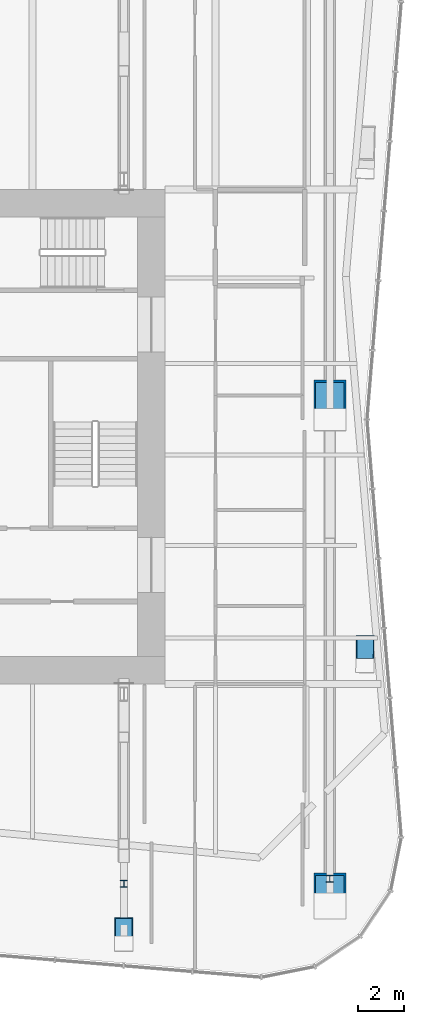
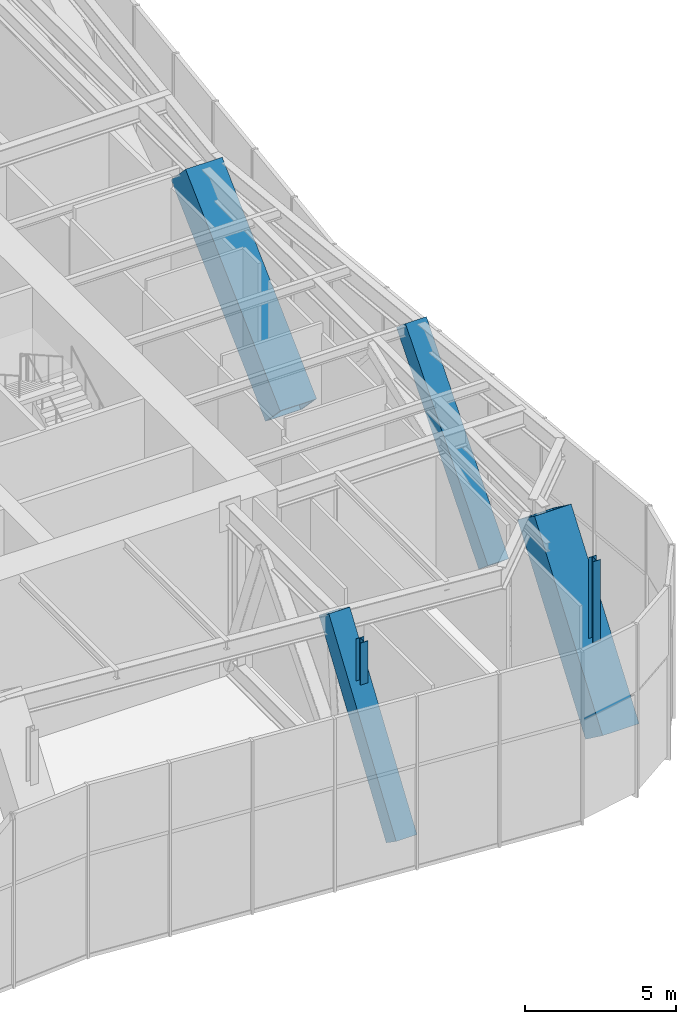
# One storey, part 2 of 17: 6 columns.
"""IFC4 building model written with IfcOpenShell, lengths in metres."""

from ifc_helpers import new_model, si_unit, direction, frame, origin, origin_2d, place, context, subcontext, project, spatial, hollow_rectangle, i_section, extrude, material, material_profile, profile_set, type_object, element, save


model = new_model("IFC4")

# Units and contexts
model_context = context("Model", 3, precision=1e-05, world=origin(), true_north=direction((0.0, 1.0)))
body_context = subcontext(model_context, "Body", "Model", "MODEL_VIEW")
ifc_project = project(units=[si_unit("LENGTHUNIT", "METRE"), si_unit("AREAUNIT", "SQUARE_METRE"), si_unit("VOLUMEUNIT", "CUBIC_METRE"), si_unit("PLANEANGLEUNIT", "RADIAN"), si_unit("MASSUNIT", "GRAM", prefix="KILO")], contexts=[model_context])

# Site, building, storey
site_placement = place(None, origin())
site = spatial("IfcSite", under=ifc_project, at=site_placement, CompositionType="ELEMENT")
building_placement = place(site_placement, origin())
building = spatial("IfcBuilding", under=site, at=building_placement, Name="Verdant Reach Tower", CompositionType="ELEMENT")
storey_placement = place(building_placement, frame((0.0, 0.0, 114.0)))
storey = spatial("IfcBuildingStorey", under=building, at=storey_placement, Name="L26 Plant", CompositionType="ELEMENT", Elevation=114.0)

# Columns
ifc_material = material(Name="Steel S460", Category="steel")
ifc_material_profile_1 = material_profile(ifc_material, hollow_rectangle(XDim=1.39990234375, YDim=1.39990234375, WallThickness=0.080078125, at=origin_2d()), Name="WB 1400x1400x80")
ifc_profile_set_1 = profile_set([ifc_material_profile_1], Name="Steel S460")
column_type_1 = type_object("IfcColumnType", Name="ST-COL-WB1400x1400x80", PredefinedType="COLUMN", material=ifc_profile_set_1)
column_1_placement = place(storey_placement, frame((21.0, 28.75, 0.51708984375), z_axis=(0.0, 0.723360676074, 0.690470370334), x_axis=(-1.0, 0.0, 0.0)))
element("IfcColumn", 1, at=column_1_placement, inside=storey, type_object=column_type_1, Name="Mega column east, L26 Plant", PredefinedType="COLUMN", context=body_context, shape_type="SweptSolid", body=[
    extrude(hollow_rectangle(XDim=1.39990234375, YDim=1.39990234375, WallThickness=0.080078125, at=origin_2d()), origin(), (0.0, 0.0, 1.0), 8.64013671875),
])
column_2_placement = place(storey_placement, frame((21.0, 7.5, 0.43115234375), z_axis=(0.0, 0.591280217963, 0.806466182704), x_axis=(-1.0, 0.0, 0.0)))
element("IfcColumn", 2, at=column_2_placement, inside=storey, type_object=column_type_1, Name="Mega column south-east, L26 Plant", PredefinedType="COLUMN", context=body_context, shape_type="SweptSolid", body=[
    extrude(hollow_rectangle(XDim=1.39990234375, YDim=1.39990234375, WallThickness=0.080078125, at=origin_2d()), origin(), (0.0, 0.0, 1.0), 7.610595703125),
])
ifc_material_profile_2 = material_profile(ifc_material, hollow_rectangle(XDim=0.800048828125, YDim=0.800048828125, WallThickness=0.0400390625, at=origin_2d()), Name="WB 800x800x40")
ifc_profile_set_2 = profile_set([ifc_material_profile_2], Name="Steel S460")
column_type_2 = type_object("IfcColumnType", Name="ST-COL-WB800x800x40", PredefinedType="COLUMN", material=ifc_profile_set_2)
column_3_placement = place(storey_placement, frame((12.0, 5.85009765625, 0.253173828125), z_axis=(0.0, 0.565283029437, 0.824897021834), x_axis=(-1.0, 0.0, 0.0)))
element("IfcColumn", 3, at=column_3_placement, inside=storey, type_object=column_type_2, Name="Perimeter column south 2, L26 Plant", PredefinedType="COLUMN", context=body_context, shape_type="SweptSolid", body=[
    extrude(hollow_rectangle(XDim=0.800048828125, YDim=0.800048828125, WallThickness=0.0400390625, at=origin_2d()), origin(), (0.0, 0.0, 1.0), 7.8720703125),
])
column_4_placement = place(storey_placement, frame((22.53369140625, 18.0, 0.286865234375), z_axis=(0.003405838168, 0.650226459736, 0.759732815748), x_axis=(-0.999986282347, 0.005237854284, 0.0)))
element("IfcColumn", 4, at=column_4_placement, inside=storey, type_object=column_type_2, Name="Perimeter column east 1, L26 Plant", PredefinedType="COLUMN", context=body_context, shape_type="SweptSolid", body=[
    extrude(hollow_rectangle(XDim=0.800048828125, YDim=0.800048828125, WallThickness=0.0400390625, at=origin_2d()), origin(), (0.0, 0.0, 1.0), 8.45849609375),
])
ifc_material_profile_3 = material_profile(ifc_material, i_section(OverallWidth=0.300048828125, OverallDepth=0.300048828125, WebThickness=0.010986328125, FlangeThickness=0.01904296875, FilletRadius=0.027099609375, at=origin_2d()), Name="HEB 300")
ifc_profile_set_3 = profile_set([ifc_material_profile_3], Name="Steel S460")
column_type_3 = type_object("IfcColumnType", Name="ST-DECK-POST-HEB300", PredefinedType="COLUMN", material=ifc_profile_set_3)
column_5_placement = place(storey_placement, frame((21.0, 8.685546875, 3.4365234375), z_axis=(0.0, 0.0, 1.0), x_axis=(1.0, 0.0, 0.0)))
element("IfcColumn", 5, at=column_5_placement, inside=storey, type_object=column_type_3, Name="Terrace deck post, column M-SE, L26 Plant", PredefinedType="COLUMN", context=body_context, shape_type="SweptSolid", body=[
    extrude(i_section(OverallWidth=0.300048828125, OverallDepth=0.300048828125, WebThickness=0.010986328125, FlangeThickness=0.01904296875, FilletRadius=0.027099609375, at=origin_2d()), origin(), (0.0, 0.0, 1.0), 3.263427734375),
])
column_6_placement = place(storey_placement, frame((12.0, 8.469970703125, 5.0029296875), z_axis=(0.0, 0.0, 1.0), x_axis=(1.0, 0.0, 0.0)))
element("IfcColumn", 6, at=column_6_placement, inside=storey, type_object=column_type_3, Name="Terrace deck post, column P-S2, L26 Plant", PredefinedType="COLUMN", context=body_context, shape_type="SweptSolid", body=[
    extrude(i_section(OverallWidth=0.300048828125, OverallDepth=0.300048828125, WebThickness=0.010986328125, FlangeThickness=0.01904296875, FilletRadius=0.027099609375, at=origin_2d()), origin(), (0.0, 0.0, 1.0), 1.697021484375),
])

save(model, "model.ifc")
